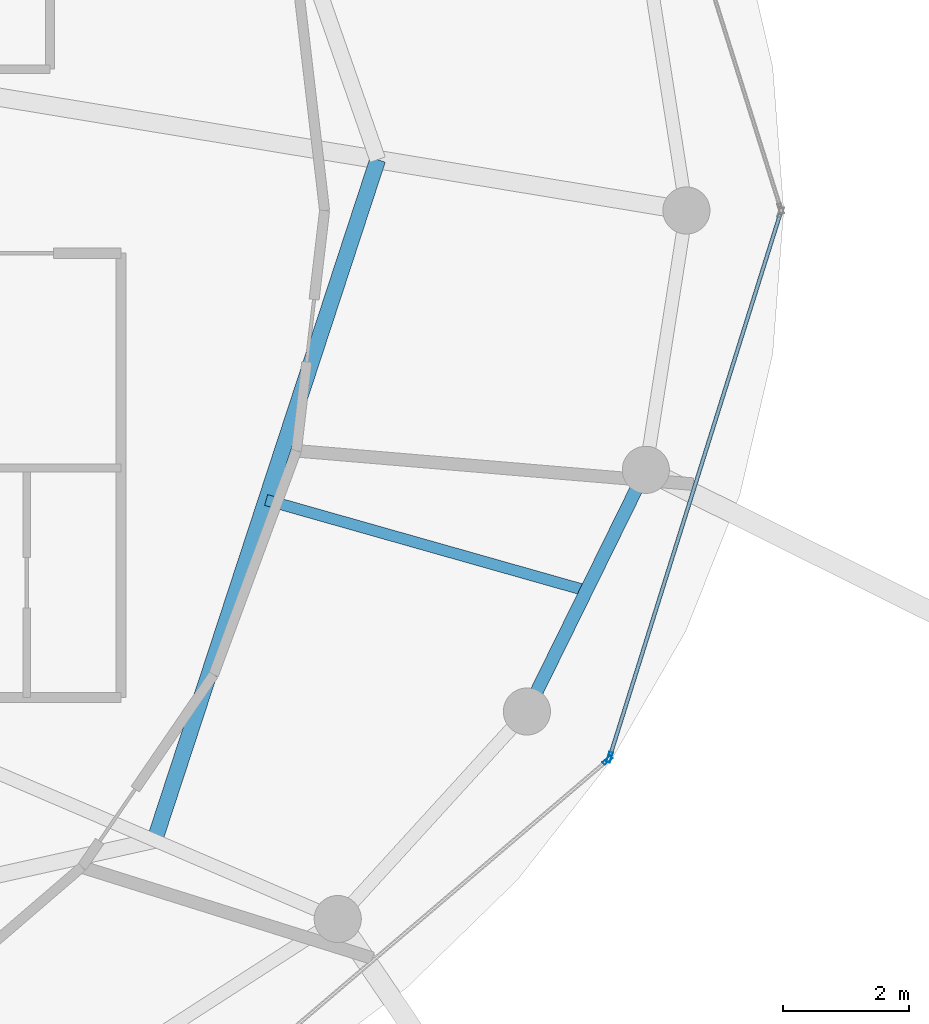
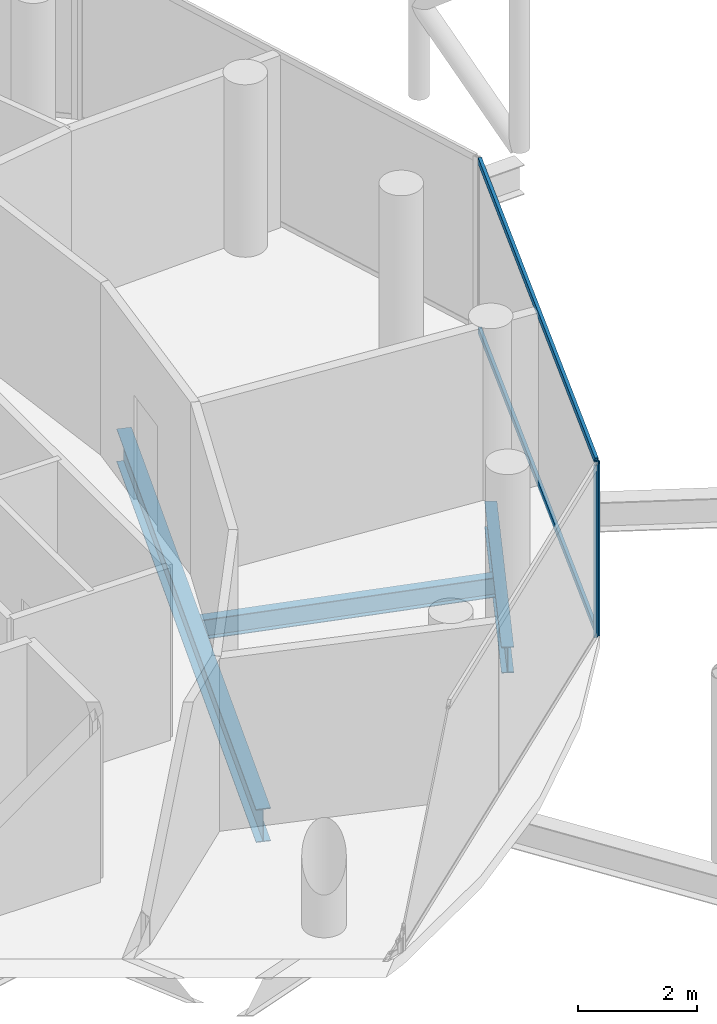
# One storey, part 10 of 24: 4 members, 3 beams, 2 elements without a shape of their own.
"""IFC4 building model written with IfcOpenShell, lengths in metres."""

from ifc_helpers import new_model, si_unit, direction, frame, origin, origin_2d, place, context, subcontext, project, spatial, hollow_rectangle, i_section, extrude, material, layer, layer_set, material_profile, profile_set, type_object, element, aggregate, save


model = new_model("IFC4")

# Units and contexts
model_context = context("Model", 3, precision=1e-05, world=origin(), true_north=direction((0.0, 1.0)))
body_context = subcontext(model_context, "Body", "Model", "MODEL_VIEW")
ifc_project = project(units=[si_unit("LENGTHUNIT", "METRE"), si_unit("AREAUNIT", "SQUARE_METRE"), si_unit("VOLUMEUNIT", "CUBIC_METRE"), si_unit("PLANEANGLEUNIT", "RADIAN"), si_unit("MASSUNIT", "GRAM", prefix="KILO")], contexts=[model_context])

# Site, building, storey
site_placement = place(None, origin())
site = spatial("IfcSite", under=ifc_project, at=site_placement, CompositionType="ELEMENT")
building_placement = place(site_placement, origin())
building = spatial("IfcBuilding", under=site, at=building_placement, Name="Nuhasar Tower", CompositionType="ELEMENT")
storey_placement = place(building_placement, frame((0.0, 0.0, 289.800048828125)))
storey = spatial("IfcBuildingStorey", under=building, at=storey_placement, Name="L72", CompositionType="ELEMENT", Elevation=289.800048828125)

# Beams
ifc_material_1 = material(Name="Steel S355", Category="steel")
ifc_material_profile_1 = material_profile(ifc_material_1, i_section(OverallWidth=0.25390625, OverallDepth=0.68408203125, WebThickness=0.012451171875, FlangeThickness=0.018798828125, at=origin_2d()), Name="W27X94")
ifc_profile_set_1 = profile_set([ifc_material_profile_1], Name="Steel S355")
beam_type_1 = type_object("IfcBeamType", Name="BM-INRING-W27X94", PredefinedType="BEAM", material=ifc_profile_set_1)
beam_1_placement = place(storey_placement, frame((49.48388671875, 16.77392578125, -0.60205078125), z_axis=(0.311483801376, 0.950251462235, 0.0), x_axis=(-0.950251462235, 0.311483801376, 0.0)))
element("IfcBeam", 1, at=beam_1_placement, inside=storey, type_object=beam_type_1, Name="L72 Inner Header Beam 03", PredefinedType="BEAM", context=body_context, shape_type="SweptSolid", body=[
    extrude(i_section(OverallWidth=0.25390625, OverallDepth=0.68408203125, WebThickness=0.012451171875, FlangeThickness=0.018798828125, at=origin_2d()), origin(), (0.0, 0.0, 1.0), 11.403564453125),
])
ifc_material_profile_2 = material_profile(ifc_material_1, i_section(OverallWidth=0.177978515625, OverallDepth=0.406005859375, WebThickness=0.0078125, FlangeThickness=0.0126953125, at=origin_2d()), Name="W16X40")
ifc_profile_set_2 = profile_set([ifc_material_profile_2], Name="Steel S355")
beam_type_2 = type_object("IfcBeamType", Name="BM-JST-W16X40", PredefinedType="JOIST", material=ifc_profile_set_2)
beam_2_placement = place(storey_placement, frame((51.260009765625, 22.19189453125, -0.463134765625), z_axis=(0.962154316042, -0.272505178156, 0.0), x_axis=(0.272505178156, 0.962154316042, 0.0)))
element("IfcBeam", 2, at=beam_2_placement, inside=storey, type_object=beam_type_2, Name="L72 Secondary Floor Joist 03", PredefinedType="JOIST", context=body_context, shape_type="SweptSolid", body=[
    extrude(i_section(OverallWidth=0.177978515625, OverallDepth=0.406005859375, WebThickness=0.0078125, FlangeThickness=0.0126953125, at=origin_2d()), origin(), (0.0, 0.0, 1.0), 5.29833984375),
])
ifc_material_profile_3 = material_profile(ifc_material_1, i_section(OverallWidth=0.2099609375, OverallDepth=0.537109375, WebThickness=0.010986328125, FlangeThickness=0.017333984375, at=origin_2d()), Name="W21X68")
ifc_profile_set_3 = profile_set([ifc_material_profile_3], Name="Steel S355")
beam_type_3 = type_object("IfcBeamType", Name="BM-RING-W21X68", PredefinedType="SPANDREL", material=ifc_profile_set_3)
beam_3_placement = place(storey_placement, frame((55.410888671875, 18.824951171875, -0.528076171875), z_axis=(0.441510561726, 0.897256052576, 0.0), x_axis=(-0.897256052576, 0.441510561726, 0.0)))
element("IfcBeam", 3, at=beam_3_placement, inside=storey, type_object=beam_type_3, Name="L72 Perimeter Ring Spandrel 23", PredefinedType="SPANDREL", context=body_context, shape_type="SweptSolid", body=[
    extrude(i_section(OverallWidth=0.2099609375, OverallDepth=0.537109375, WebThickness=0.010986328125, FlangeThickness=0.017333984375, at=origin_2d()), origin(), (0.0, 0.0, 1.0), 4.28759765625),
])

# Curtain wall, member
ifc_material_2 = material(Name="Aluminium 6063-T6", Category="aluminium")
ifc_layer = layer(ifc_material_2, 0.18994140625)
ifc_layer_set = layer_set([ifc_layer], Name="Aluminium 6063-T6")
curtain_wall_type = type_object("IfcCurtainWallType", Name="CW-Z4-PEN", PredefinedType="NOTDEFINED", material=ifc_layer_set)
curtain_wall_1_placement = place(storey_placement, origin())
curtain_wall_1 = element("IfcCurtainWall", 4, at=curtain_wall_1_placement, inside=storey, type_object=curtain_wall_type, Name="L72 Unitised Curtain Wall 11", PredefinedType="NOTDEFINED")
ifc_material_profile_4 = material_profile(ifc_material_2, hollow_rectangle(XDim=0.06005859375, YDim=0.1650390625, WallThickness=0.0048828125, at=origin_2d()), Name="CWM-5")
ifc_profile_set_4 = profile_set([ifc_material_profile_4], Name="Aluminium 6063-T6")
member_type_1 = type_object("IfcMemberType", Name="CW-MUL-S5", PredefinedType="MULLION", material=ifc_profile_set_4)
member_1_placement = place(storey_placement, frame((56.6962890625, 18.050537109375, 0.0), z_axis=(0.0, 0.0, 1.0), x_axis=(-0.649141996205, 0.760667252327, 0.0)))
member_1 = element("IfcMember", 5, at=member_1_placement, type_object=member_type_1, Name="CW-Z4 mullion 2", PredefinedType="MULLION", context=body_context, shape_type="SweptSolid", body=[
    extrude(hollow_rectangle(XDim=0.06005859375, YDim=0.1650390625, WallThickness=0.0048828125, at=origin_2d()), origin(), (0.0, 0.0, 1.0), 3.5400390625),
])
aggregate(curtain_wall_1, [member_1])

# Curtain wall, members
curtain_wall_2_placement = place(storey_placement, origin())
curtain_wall_2 = element("IfcCurtainWall", 6, at=curtain_wall_2_placement, inside=storey, type_object=curtain_wall_type, Name="L72 Unitised Curtain Wall 12", PredefinedType="NOTDEFINED")
member_2_placement = place(storey_placement, frame((56.72802734375, 18.0986328125, 0.0), z_axis=(0.0, 0.0, 1.0), x_axis=(-0.954078526601, 0.299556614146, 0.0)))
member_2 = element("IfcMember", 7, at=member_2_placement, type_object=member_type_1, Name="CW-Z4 mullion 1", PredefinedType="MULLION", context=body_context, shape_type="SweptSolid", body=[
    extrude(hollow_rectangle(XDim=0.06005859375, YDim=0.1650390625, WallThickness=0.0048828125, at=origin_2d()), origin(), (0.0, 0.0, 1.0), 3.5400390625),
])
ifc_material_profile_5 = material_profile(ifc_material_2, hollow_rectangle(XDim=0.06005859375, YDim=0.135009765625, WallThickness=0.00439453125, at=origin_2d()), Name="CWT-5")
ifc_profile_set_5 = profile_set([ifc_material_profile_5], Name="Aluminium 6063-T6")
member_type_2 = type_object("IfcMemberType", Name="CW-TRN-S5", PredefinedType="USERDEFINED", material=ifc_profile_set_5)
member_3_placement = place(storey_placement, frame((56.737060546875, 18.127197265625, 0.030029296875), z_axis=(0.29956014073, 0.954077419335, 0.0), x_axis=(-0.954077419335, 0.29956014073, 0.0)))
member_3 = element("IfcMember", 8, at=member_3_placement, type_object=member_type_2, Name="CW-Z4 transom 1.1", ObjectType="TRANSOM", PredefinedType="USERDEFINED", context=body_context, shape_type="SweptSolid", body=[
    extrude(hollow_rectangle(XDim=0.06005859375, YDim=0.135009765625, WallThickness=0.00439453125, at=origin_2d()), origin(), (0.0, 0.0, 1.0), 9.0302734375),
])
member_4_placement = place(storey_placement, frame((56.737060546875, 18.127197265625, 3.510009765625), z_axis=(0.29956014073, 0.954077419335, 0.0), x_axis=(-0.954077419335, 0.29956014073, 0.0)))
member_4 = element("IfcMember", 9, at=member_4_placement, type_object=member_type_2, Name="CW-Z4 transom 1.2", ObjectType="TRANSOM", PredefinedType="USERDEFINED", context=body_context, shape_type="SweptSolid", body=[
    extrude(hollow_rectangle(XDim=0.06005859375, YDim=0.135009765625, WallThickness=0.00439453125, at=origin_2d()), origin(), (0.0, 0.0, 1.0), 9.0302734375),
])
aggregate(curtain_wall_2, [member_2, member_3, member_4])

save(model, "model.ifc")
